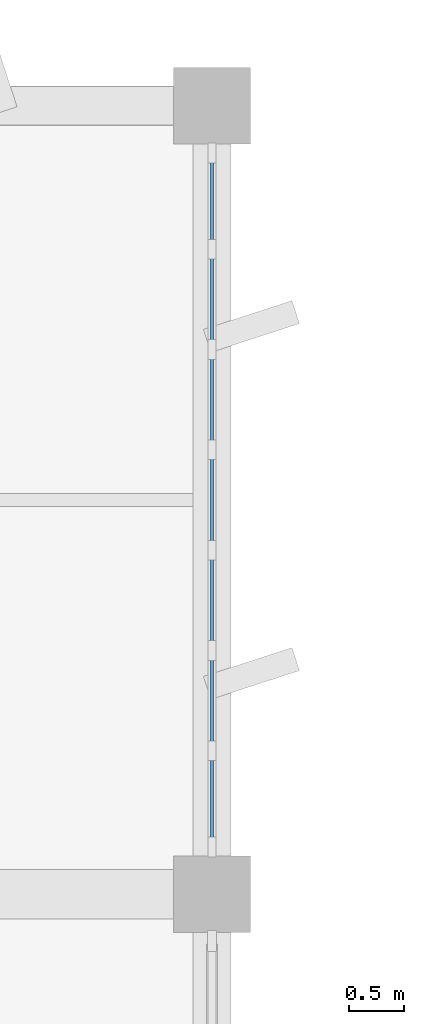
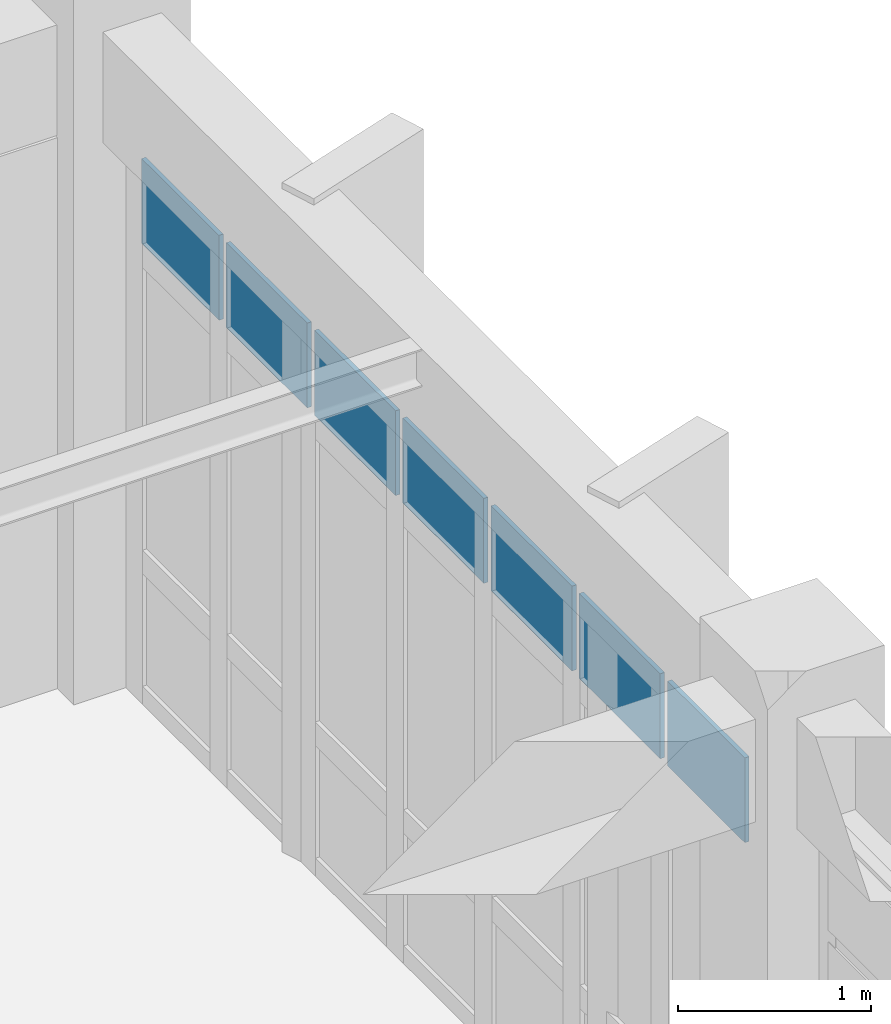
# One storey, part 58 of 81: 7 plates, 1 element without a shape of its own.
"""IFC4 building model written with IfcOpenShell, lengths in metres."""

import ifcopenshell
import ifcopenshell.guid

model = None  # the IFC model being written
_history = None  # IfcOwnerHistory: only IFC2X3 demands one
_inside = {}  # id of a spatial element -> (the spatial element, [elements in it])
_under = {}  # id of a project, library or spatial element -> (it, [spatial elements below it])
_declared = {}  # id of a project -> (the project, [libraries it declares])
_typed = {}  # id of a type object -> (the type object, [elements of that type])
_made_of = {}  # id of a material, layer set ... -> (it, [elements and type objects made of it])


def new_model(schema):
    """Start an empty IFC model of exactly this schema.

    Asked for "IFC4X3", IfcOpenShell would pick the latest addendum, in which some entities
    have other attributes; the version numbers below select the first issue.
    IFC2X3 requires an IfcOwnerHistory on every rooted entity: one is made here for all.
    """
    global model, _history
    if schema == "IFC4X3":
        model = ifcopenshell.file(schema_version=(4, 3, 0, 0))
    else:
        model = ifcopenshell.file(schema=schema)
    _inside.clear()
    _under.clear()
    _declared.clear()
    _typed.clear()
    _made_of.clear()
    _history = None
    if model.schema == "IFC2X3":
        org = make("IfcOrganization", Name="unknown")
        user = make(
            "IfcPersonAndOrganization",
            ThePerson=make("IfcPerson", FamilyName="unknown"),
            TheOrganization=org,
        )
        app = make(
            "IfcApplication",
            ApplicationDeveloper=org,
            Version="unknown",
            ApplicationFullName="unknown",
            ApplicationIdentifier="unknown",
        )
        _history = make(
            "IfcOwnerHistory",
            OwningUser=user,
            OwningApplication=app,
            ChangeAction="ADDED",
            CreationDate=0,
        )
    return model


def make(cls, **values):
    """One entity of the class cls with the attributes given. An attribute that is None is left unset."""
    return model.create_entity(
        cls, **{name: value for name, value in values.items() if value is not None}
    )


def rooted(cls, **values):
    """An entity with a GlobalId (a new one), such as an element, a storey or a relation."""
    return make(cls, GlobalId=ifcopenshell.guid.new(), OwnerHistory=_history, **values)


def si_unit(unit_type, name, prefix=None):
    """IfcSIUnit, for example si_unit("LENGTHUNIT", "METRE", prefix="MILLI")."""
    return make("IfcSIUnit", UnitType=unit_type, Prefix=prefix, Name=name)


def assignment(units):
    """IfcUnitAssignment: the units of a project."""
    return None if units is None else make("IfcUnitAssignment", Units=units)


def point(xyz):
    """IfcCartesianPoint."""
    return None if xyz is None else make("IfcCartesianPoint", Coordinates=xyz)


def direction(xyz):
    """IfcDirection."""
    return None if xyz is None else make("IfcDirection", DirectionRatios=xyz)


def frame(location, z_axis=None, x_axis=None):
    """IfcAxis2Placement3D, a coordinate frame: its origin and axes. An axis left out is left unset."""
    return make(
        "IfcAxis2Placement3D",
        Location=point(location),
        Axis=direction(z_axis),
        RefDirection=direction(x_axis),
    )


def frame_2d(location, x_axis=None):
    """IfcAxis2Placement2D, a coordinate frame in the plane: its origin and x axis."""
    return make(
        "IfcAxis2Placement2D", Location=point(location), RefDirection=direction(x_axis)
    )


def origin():
    """The frame at (0, 0, 0) with its axes left unset."""
    return frame((0.0, 0.0, 0.0))


def origin_2d():
    """The frame at (0, 0) in the plane with its x axis left unset."""
    return frame_2d((0.0, 0.0))


def place(relative_to, where):
    """IfcLocalPlacement: puts the frame where relative to a parent placement (None: the world)."""
    return make(
        "IfcLocalPlacement", PlacementRelTo=relative_to, RelativePlacement=where
    )


def context(
    kind, dimensions, precision=None, world=None, true_north=None, identifier=None
):
    """IfcGeometricRepresentationContext, for example the 3D "Model" context."""
    return make(
        "IfcGeometricRepresentationContext",
        ContextIdentifier=identifier,
        ContextType=kind,
        CoordinateSpaceDimension=dimensions,
        Precision=precision,
        WorldCoordinateSystem=world,
        TrueNorth=true_north,
    )


def subcontext(parent, identifier, kind, view, scale=None):
    """IfcGeometricRepresentationSubContext, for example "Body" below "Model"."""
    return make(
        "IfcGeometricRepresentationSubContext",
        ContextIdentifier=identifier,
        ContextType=kind,
        ParentContext=parent,
        TargetScale=scale,
        TargetView=view,
    )


def project(units=None, contexts=None):
    """IfcProject with its units and contexts."""
    return rooted(
        "IfcProject",
        Name="project",
        RepresentationContexts=contexts,
        UnitsInContext=assignment(units),
    )


def spatial(cls, under=None, at=None, **own):
    """A site, building, storey or space (cls), placed at a placement, below another one or the project."""
    s = rooted(cls, ObjectPlacement=at, **own)
    if under is not None:
        _under.setdefault(under.id(), (under, []))[1].append(s)
    return s


def profile(cls, at=None, kind="AREA", **sizes):
    """A parametric profile (cls). Its sizes go by their IFC names, for example OverallWidth=200.0."""
    return make(cls, ProfileType=kind, Position=at, **sizes)


def rectangle(**sizes):
    """IfcRectangleProfileDef."""
    return profile("IfcRectangleProfileDef", **sizes)


def extrude(swept, where, along, depth):
    """IfcExtrudedAreaSolid: the profile swept, set in the frame where, extruded along a direction by depth."""
    return make(
        "IfcExtrudedAreaSolid",
        SweptArea=swept,
        Position=where,
        ExtrudedDirection=direction(along),
        Depth=depth,
    )


def shape(context_of_items, identifier, shape_type, items):
    """IfcShapeRepresentation: the items that make up one representation, for example the "Body"."""
    return make(
        "IfcShapeRepresentation",
        ContextOfItems=context_of_items,
        RepresentationIdentifier=identifier,
        RepresentationType=shape_type,
        Items=items,
    )


def material(Name=None, Category=None):
    """IfcMaterial."""
    return make("IfcMaterial", Name=Name, Category=Category)


def layer(
    of_material, thickness, ventilated=None, Name=None, Category=None, Priority=None
):
    """IfcMaterialLayer: one layer of a wall or slab, of a material (None: an air gap)."""
    return make(
        "IfcMaterialLayer",
        Material=of_material,
        LayerThickness=thickness,
        IsVentilated=ventilated,
        Name=Name,
        Category=Category,
        Priority=Priority,
    )


def layer_set(layers, Name=None):
    """IfcMaterialLayerSet."""
    return make("IfcMaterialLayerSet", MaterialLayers=layers, LayerSetName=Name)


def made_of(thing, what):
    """Note that an element or type object is made of a material, layer set ...; save() writes the relation."""
    if what is not None:
        _made_of.setdefault(what.id(), (what, []))[1].append(thing)
    return thing


def type_object(cls, material=None, **own):
    """A type object (cls), such as IfcWallType, which elements share."""
    return made_of(rooted(cls, **own), material)


def element(
    cls,
    number,
    at=None,
    inside=None,
    cuts=None,
    type_object=None,
    material=None,
    context=None,
    identifier="Body",
    shape_type=None,
    held_by="IfcProductDefinitionShape",
    body=None,
    shapes=None,
    **own,
):
    """One element of the class cls, such as IfcWall. Its Tag is "e" and its number.

    at: its placement. inside: the storey or other place that contains it. cuts: it is an
    opening in that element (IfcRelVoidsElement). A single representation is given by context,
    identifier, shape_type and body (its items); several are given by shapes. held_by: the class
    of the entity that holds the representations. save() writes the other relations.
    """
    e = rooted(cls, Tag="e%d" % number, ObjectPlacement=at, **own)
    if body is not None:
        shapes = [shape(context, identifier, shape_type, body)]
    if shapes is not None:
        e.Representation = make(held_by, Representations=shapes)
    if inside is not None:
        _inside.setdefault(inside.id(), (inside, []))[1].append(e)
    if cuts is not None:
        rooted(
            "IfcRelVoidsElement", RelatingBuildingElement=cuts, RelatedOpeningElement=e
        )
    if type_object is not None:
        _typed.setdefault(type_object.id(), (type_object, []))[1].append(e)
    return made_of(e, material)


def aggregate(whole, parts):
    """IfcRelAggregates: a whole, such as a stair, and the parts it consists of."""
    return rooted("IfcRelAggregates", RelatingObject=whole, RelatedObjects=parts)


def save(model, path):
    """Write the relations noted so far, then the file.

    IfcRelAggregates (storeys below a building ...), IfcRelContainedInSpatialStructure (elements
    in a storey), IfcRelDefinesByType, IfcRelAssociatesMaterial and IfcRelDeclares: one each for
    every whole, place, type object, material and project.
    """
    for whole, parts in _under.values():
        aggregate(whole, parts)
    for where, things in _inside.values():
        rooted(
            "IfcRelContainedInSpatialStructure",
            RelatedElements=things,
            RelatingStructure=where,
        )
    for kind, things in _typed.values():
        rooted("IfcRelDefinesByType", RelatedObjects=things, RelatingType=kind)
    for what, things in _made_of.values():
        rooted("IfcRelAssociatesMaterial", RelatedObjects=things, RelatingMaterial=what)
    for by, libraries in _declared.values():
        rooted("IfcRelDeclares", RelatingContext=by, RelatedDefinitions=libraries)
    model.write(path)


model = new_model("IFC4")

# Units and contexts
model_context = context("Model", 3, precision=1e-05, world=origin(), true_north=direction((0.0, 1.0)))
body_context = subcontext(model_context, "Body", "Model", "MODEL_VIEW")
ifc_project = project(units=[si_unit("LENGTHUNIT", "METRE"), si_unit("AREAUNIT", "SQUARE_METRE"), si_unit("VOLUMEUNIT", "CUBIC_METRE"), si_unit("PLANEANGLEUNIT", "RADIAN"), si_unit("MASSUNIT", "GRAM", prefix="KILO")], contexts=[model_context])

# Site, building, storey
site_placement = place(None, origin())
site = spatial("IfcSite", under=ifc_project, at=site_placement, CompositionType="ELEMENT")
building_placement = place(site_placement, origin())
building = spatial("IfcBuilding", under=site, at=building_placement, Name="Kavelor Marine Aquarium", CompositionType="ELEMENT")
storey_placement = place(building_placement, frame((0.0, 0.0, 4.679931640625)))
storey = spatial("IfcBuildingStorey", under=building, at=storey_placement, Name="L01", CompositionType="ELEMENT", Elevation=4.679931640625)

# Curtain wall, plates
ifc_material_1 = material(Name="Thermally Broken Aluminium and Low-E Glass", Category="aluminium")
ifc_layer_1 = layer(ifc_material_1, 0.14794921875)
ifc_layer_set_1 = layer_set([ifc_layer_1], Name="CW-SYS1")
curtain_wall_type = type_object("IfcCurtainWallType", Name="CW-SYS1", PredefinedType="USERDEFINED", material=ifc_layer_set_1)
curtain_wall_placement = place(storey_placement, origin())
curtain_wall = element("IfcCurtainWall", 1, at=curtain_wall_placement, inside=storey, type_object=curtain_wall_type, Name="cw:y:L01:21_14", ObjectType="Curtain Wall", PredefinedType="USERDEFINED")
ifc_material_2 = material(Name="Solar-Control Double Low-E Glazing", Category="glass")
ifc_layer_2 = layer(ifc_material_2, 0.02587890625)
ifc_layer_set_2 = layer_set([ifc_layer_2], Name="CWP-01")
plate_type = type_object("IfcPlateType", Name="CWP-01", PredefinedType="CURTAIN_PANEL", material=ifc_layer_set_2)
plate_1_placement = place(storey_placement, frame((154.39990234375, 104.4716796875, 2.87744140625), z_axis=(0.0, 0.0, 1.0), x_axis=(0.0, 1.0, 0.0)))
plate_1 = element("IfcPlate", 2, at=plate_1_placement, type_object=plate_type, Name="CW01 panel 1.3", PredefinedType="CURTAIN_PANEL", context=body_context, shape_type="SweptSolid", body=[
    extrude(rectangle(XDim=0.80322265625, YDim=0.02587890625, at=origin_2d()), origin(), (0.0, 0.0, 1.0), 0.53759765625),
])
plate_2_placement = place(storey_placement, frame((154.39990234375, 105.36865234375, 2.87744140625), z_axis=(0.0, 0.0, 1.0), x_axis=(0.0, 1.0, 0.0)))
plate_2 = element("IfcPlate", 3, at=plate_2_placement, type_object=plate_type, Name="CW01 panel 2.3", PredefinedType="CURTAIN_PANEL", context=body_context, shape_type="SweptSolid", body=[
    extrude(rectangle(XDim=0.8408203125, YDim=0.02587890625, at=origin_2d()), origin(), (0.0, 0.0, 1.0), 0.53759765625),
])
plate_3_placement = place(storey_placement, frame((154.39990234375, 106.2841796875, 2.87744140625), z_axis=(0.0, 0.0, 1.0), x_axis=(0.0, 1.0, 0.0)))
plate_3 = element("IfcPlate", 4, at=plate_3_placement, type_object=plate_type, Name="CW01 panel 3.3", PredefinedType="CURTAIN_PANEL", context=body_context, shape_type="SweptSolid", body=[
    extrude(rectangle(XDim=0.8408203125, YDim=0.02587890625, at=origin_2d()), origin(), (0.0, 0.0, 1.0), 0.53759765625),
])
plate_4_placement = place(storey_placement, frame((154.39990234375, 107.199951171875, 2.87744140625), z_axis=(0.0, 0.0, 1.0), x_axis=(0.0, 1.0, 0.0)))
plate_4 = element("IfcPlate", 5, at=plate_4_placement, type_object=plate_type, Name="CW01 panel 4.3", PredefinedType="CURTAIN_PANEL", context=body_context, shape_type="SweptSolid", body=[
    extrude(rectangle(XDim=0.8408203125, YDim=0.02587890625, at=origin_2d()), origin(), (0.0, 0.0, 1.0), 0.53759765625),
])
plate_5_placement = place(storey_placement, frame((154.39990234375, 108.11572265625, 2.87744140625), z_axis=(0.0, 0.0, 1.0), x_axis=(0.0, 1.0, 0.0)))
plate_5 = element("IfcPlate", 6, at=plate_5_placement, type_object=plate_type, Name="CW01 panel 5.3", PredefinedType="CURTAIN_PANEL", context=body_context, shape_type="SweptSolid", body=[
    extrude(rectangle(XDim=0.8408203125, YDim=0.02587890625, at=origin_2d()), origin(), (0.0, 0.0, 1.0), 0.53759765625),
])
plate_6_placement = place(storey_placement, frame((154.39990234375, 109.031494140625, 2.87744140625), z_axis=(0.0, 0.0, 1.0), x_axis=(0.0, 1.0, 0.0)))
plate_6 = element("IfcPlate", 7, at=plate_6_placement, type_object=plate_type, Name="CW01 panel 6.3", PredefinedType="CURTAIN_PANEL", context=body_context, shape_type="SweptSolid", body=[
    extrude(rectangle(XDim=0.8408203125, YDim=0.02587890625, at=origin_2d()), origin(), (0.0, 0.0, 1.0), 0.53759765625),
])
plate_7_placement = place(storey_placement, frame((154.39990234375, 109.928466796875, 2.87744140625), z_axis=(0.0, 0.0, 1.0), x_axis=(0.0, 1.0, 0.0)))
plate_7 = element("IfcPlate", 8, at=plate_7_placement, type_object=plate_type, Name="CW01 panel 7.3", PredefinedType="CURTAIN_PANEL", context=body_context, shape_type="SweptSolid", body=[
    extrude(rectangle(XDim=0.80322265625, YDim=0.02587890625, at=origin_2d()), origin(), (0.0, 0.0, 1.0), 0.53759765625),
])
aggregate(curtain_wall, [plate_1, plate_2, plate_3, plate_4, plate_5, plate_6, plate_7])

save(model, "model.ifc")
